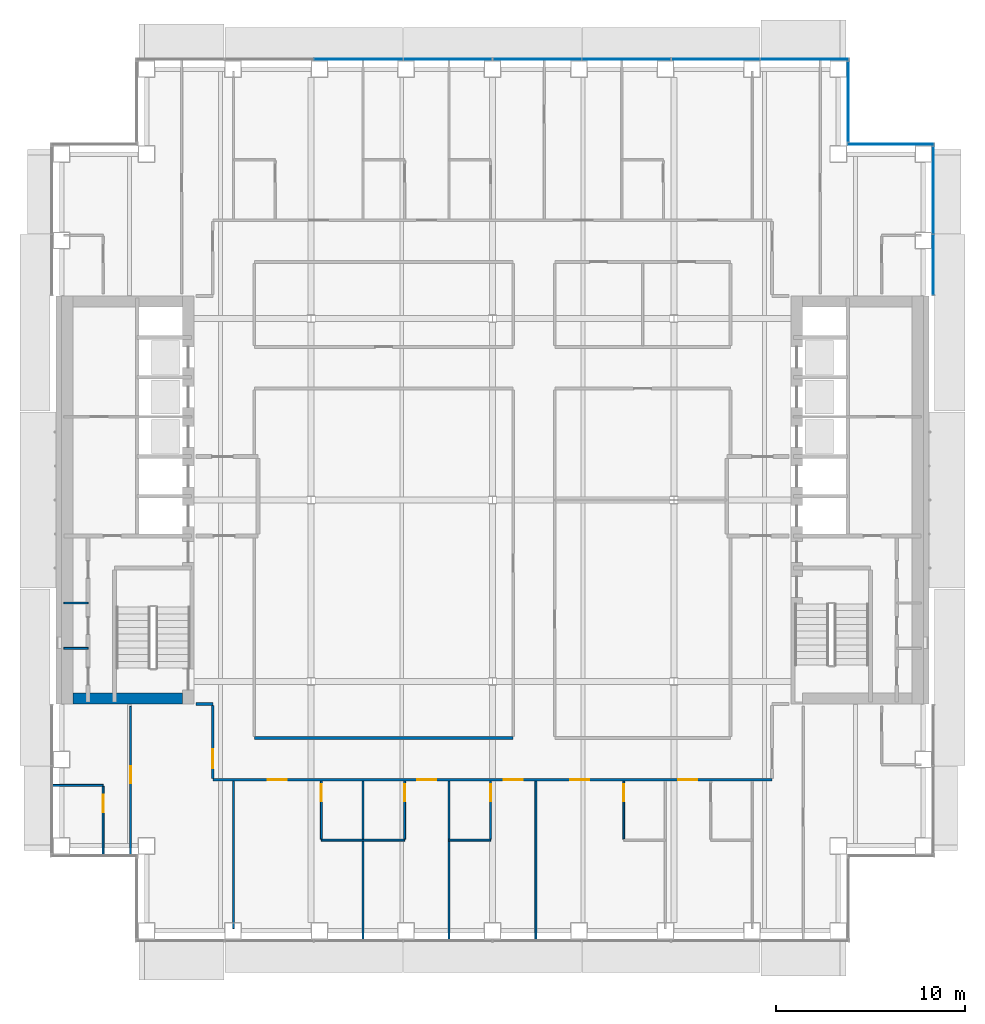
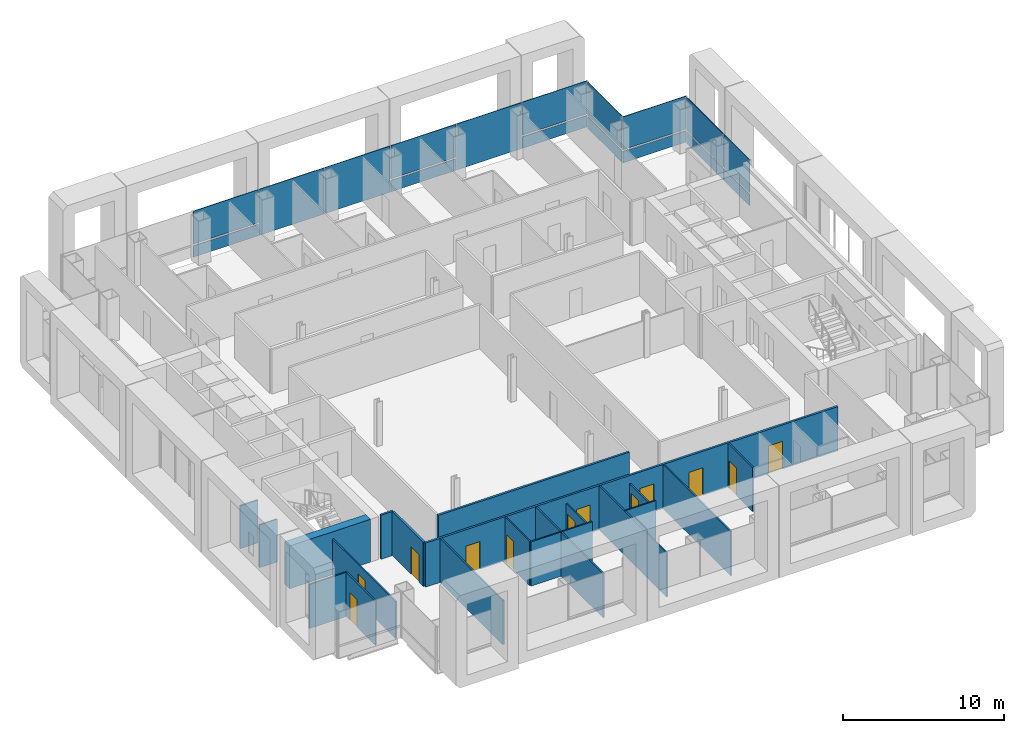
# One storey, part 10 of 20: 21 walls, 17 plates, 12 doors, 12 openings, 4 elements without a shape of their own.
"""IFC4 building model written with IfcOpenShell, lengths in metres."""

from ifc_helpers import new_model, si_unit, direction, frame, frame_2d, origin, origin_2d, place, context, subcontext, project, spatial, rectangle, extrude, material, layer, layer_set, type_object, element, fill, aggregate, save


model = new_model("IFC4")

# Units and contexts
model_context = context("Model", 3, precision=1e-05, world=origin(), true_north=direction((0.0, 1.0)))
body_context = subcontext(model_context, "Body", "Model", "MODEL_VIEW")
ifc_project = project(units=[si_unit("LENGTHUNIT", "METRE"), si_unit("AREAUNIT", "SQUARE_METRE"), si_unit("VOLUMEUNIT", "CUBIC_METRE"), si_unit("PLANEANGLEUNIT", "RADIAN"), si_unit("MASSUNIT", "GRAM", prefix="KILO")], contexts=[model_context])

# Site, building, storey
site_placement = place(None, origin())
site = spatial("IfcSite", under=ifc_project, at=site_placement, CompositionType="ELEMENT")
building_placement = place(site_placement, origin())
building = spatial("IfcBuilding", under=site, at=building_placement, Name="Cobrizo Arcos Hotel Tower", CompositionType="ELEMENT")
storey_placement = place(building_placement, frame((0.0, 0.0, 96.0)))
storey = spatial("IfcBuildingStorey", under=building, at=storey_placement, Name="L23", CompositionType="ELEMENT", Elevation=96.0)

# Curtain wall, plates
ifc_material_1 = material(Name="Aluminium 6063-T6 anodised bronze", Category="aluminium")
curtain_wall_type = type_object("IfcCurtainWallType", Name="CW-A guest facade", PredefinedType="NOTDEFINED", material=ifc_material_1)
curtain_wall_1_placement = place(storey_placement, origin())
curtain_wall_1 = element("IfcCurtainWall", 1, at=curtain_wall_1_placement, inside=storey, type_object=curtain_wall_type, Name="CW-A L23 E face", PredefinedType="NOTDEFINED")
ifc_material_2 = material(Name="Glass clear laminated low-e", Category="glass")
ifc_layer_1 = layer(ifc_material_2, 0.0400390625)
ifc_layer_set_1 = layer_set([ifc_layer_1], Name="CW-A glass panel")
plate_type_1 = type_object("IfcPlateType", Name="CW-A glass panel", PredefinedType="CURTAIN_PANEL", material=ifc_layer_set_1)
plate_1_placement = place(storey_placement, frame((23.324951171875, 12.4462890625, 0.990234375), z_axis=(0.0, 0.0, 1.0), x_axis=(0.0, 1.0, 0.0)))
plate_1 = element("IfcPlate", 2, at=plate_1_placement, type_object=plate_type_1, Name="CW-A glass panel 927", PredefinedType="CURTAIN_PANEL", context=body_context, shape_type="SweptSolid", body=[
    extrude(rectangle(XDim=3.172607421875, YDim=0.0400390625, at=origin_2d()), origin(), (0.0, 0.0, 1.0), 2.510009765625),
])
plate_2_placement = place(storey_placement, frame((23.324951171875, 16.391357421875, 0.990234375), z_axis=(0.0, 0.0, 1.0), x_axis=(0.0, 1.0, 0.0)))
plate_2 = element("IfcPlate", 3, at=plate_2_placement, type_object=plate_type_1, Name="CW-A glass panel 928", PredefinedType="CURTAIN_PANEL", context=body_context, shape_type="SweptSolid", body=[
    extrude(rectangle(XDim=4.597412109375, YDim=0.0400390625, at=origin_2d()), origin(), (0.0, 0.0, 1.0), 2.510009765625),
])

# Curtain wall, plate
curtain_wall_2_placement = place(storey_placement, origin())
curtain_wall_2 = element("IfcCurtainWall", 4, at=curtain_wall_2_placement, inside=storey, type_object=curtain_wall_type, Name="CW-A L23 N face", PredefinedType="NOTDEFINED")
plate_3_placement = place(storey_placement, frame((21.074951171875, 18.824951171875, 0.990234375), z_axis=(0.0, 0.0, 1.0), x_axis=(-1.0, 0.0, 0.0)))
plate_3 = element("IfcPlate", 5, at=plate_3_placement, type_object=plate_type_1, Name="CW-A glass panel 929", PredefinedType="CURTAIN_PANEL", context=body_context, shape_type="SweptSolid", body=[
    extrude(rectangle(XDim=4.530029296875, YDim=0.0400390625, at=origin_2d()), origin(), (0.0, 0.0, 1.0), 2.510009765625),
])

curtain_wall_3_placement = place(storey_placement, origin())
curtain_wall_3 = element("IfcCurtainWall", 6, at=curtain_wall_3_placement, inside=storey, type_object=curtain_wall_type, Name="CW-A L23 E face", PredefinedType="NOTDEFINED")
plate_4_placement = place(storey_placement, frame((18.824951171875, 21.074951171875, 0.990234375), z_axis=(0.0, 0.0, 1.0), x_axis=(0.0, 1.0, 0.0)))
plate_4 = element("IfcPlate", 7, at=plate_4_placement, type_object=plate_type_1, Name="CW-A glass panel 930", PredefinedType="CURTAIN_PANEL", context=body_context, shape_type="SweptSolid", body=[
    extrude(rectangle(XDim=4.22998046875, YDim=0.0400390625, at=origin_2d()), origin(), (0.0, 0.0, 1.0), 2.510009765625),
])

# Curtain wall, plates
curtain_wall_4_placement = place(storey_placement, origin())
curtain_wall_4 = element("IfcCurtainWall", 8, at=curtain_wall_4_placement, inside=storey, type_object=curtain_wall_type, Name="CW-A L23 N face", PredefinedType="NOTDEFINED")
plate_5_placement = place(storey_placement, frame((16.5224609375, 23.324951171875, 0.990234375), z_axis=(0.0, 0.0, 1.0), x_axis=(-1.0, 0.0, 0.0)))
plate_5 = element("IfcPlate", 9, at=plate_5_placement, type_object=plate_type_1, Name="CW-A glass panel 931", PredefinedType="CURTAIN_PANEL", context=body_context, shape_type="SweptSolid", body=[
    extrude(rectangle(XDim=4.635009765625, YDim=0.0400390625, at=origin_2d()), origin(), (0.0, 0.0, 1.0), 2.510009765625),
])
plate_6_placement = place(storey_placement, frame((7.08740234375, 23.324951171875, 0.990234375), z_axis=(0.0, 0.0, 1.0), x_axis=(-1.0, 0.0, 0.0)))
plate_6 = element("IfcPlate", 10, at=plate_6_placement, type_object=plate_type_1, Name="CW-A glass panel 933", PredefinedType="CURTAIN_PANEL", context=body_context, shape_type="SweptSolid", body=[
    extrude(rectangle(XDim=4.6650390625, YDim=0.0400390625, at=origin_2d()), origin(), (0.0, 0.0, 1.0), 2.510009765625),
])
plate_7_placement = place(storey_placement, frame((-7.08740234375, 23.324951171875, 0.990234375), z_axis=(0.0, 0.0, 1.0), x_axis=(-1.0, 0.0, 0.0)))
plate_7 = element("IfcPlate", 11, at=plate_7_placement, type_object=plate_type_1, Name="CW-A glass panel 936", PredefinedType="CURTAIN_PANEL", context=body_context, shape_type="SweptSolid", body=[
    extrude(rectangle(XDim=4.6650390625, YDim=0.0400390625, at=origin_2d()), origin(), (0.0, 0.0, 1.0), 2.510009765625),
])

# Plate
ifc_material_3 = material(Name="Aluminium composite panel pale metal", Category="aluminium")
ifc_layer_2 = layer(ifc_material_3, 0.0400390625)
ifc_layer_set_2 = layer_set([ifc_layer_2], Name="CW-A spandrel panel")
plate_type_2 = type_object("IfcPlateType", Name="CW-A spandrel panel", PredefinedType="CURTAIN_PANEL", material=ifc_layer_set_2)
plate_8_placement = place(storey_placement, frame((23.324951171875, 12.4462890625, 0.0), z_axis=(0.0, 0.0, 1.0), x_axis=(0.0, 1.0, 0.0)))
plate_8 = element("IfcPlate", 12, at=plate_8_placement, type_object=plate_type_2, Name="CW-A spandrel panel 927", PredefinedType="CURTAIN_PANEL", context=body_context, shape_type="SweptSolid", body=[
    extrude(rectangle(XDim=3.172607421875, YDim=0.0400390625, at=origin_2d()), origin(), (0.0, 0.0, 1.0), 0.8701171875),
])

plate_9_placement = place(storey_placement, frame((23.324951171875, 16.391357421875, 0.0), z_axis=(0.0, 0.0, 1.0), x_axis=(0.0, 1.0, 0.0)))
plate_9 = element("IfcPlate", 13, at=plate_9_placement, type_object=plate_type_2, Name="CW-A spandrel panel 928", PredefinedType="CURTAIN_PANEL", context=body_context, shape_type="SweptSolid", body=[
    extrude(rectangle(XDim=4.597412109375, YDim=0.0400390625, at=origin_2d()), origin(), (0.0, 0.0, 1.0), 0.8701171875),
])

aggregate(curtain_wall_1, [plate_8, plate_1, plate_9, plate_2])

plate_10_placement = place(storey_placement, frame((21.074951171875, 18.824951171875, 0.0), z_axis=(0.0, 0.0, 1.0), x_axis=(-1.0, 0.0, 0.0)))
plate_10 = element("IfcPlate", 14, at=plate_10_placement, type_object=plate_type_2, Name="CW-A spandrel panel 929", PredefinedType="CURTAIN_PANEL", context=body_context, shape_type="SweptSolid", body=[
    extrude(rectangle(XDim=4.530029296875, YDim=0.0400390625, at=origin_2d()), origin(), (0.0, 0.0, 1.0), 0.8701171875),
])

aggregate(curtain_wall_2, [plate_10, plate_3])

plate_11_placement = place(storey_placement, frame((18.824951171875, 21.074951171875, 0.0), z_axis=(0.0, 0.0, 1.0), x_axis=(0.0, 1.0, 0.0)))
plate_11 = element("IfcPlate", 15, at=plate_11_placement, type_object=plate_type_2, Name="CW-A spandrel panel 930", PredefinedType="CURTAIN_PANEL", context=body_context, shape_type="SweptSolid", body=[
    extrude(rectangle(XDim=4.22998046875, YDim=0.0400390625, at=origin_2d()), origin(), (0.0, 0.0, 1.0), 0.8701171875),
])

aggregate(curtain_wall_3, [plate_11, plate_4])

plate_12_placement = place(storey_placement, frame((16.5224609375, 23.324951171875, 0.0), z_axis=(0.0, 0.0, 1.0), x_axis=(-1.0, 0.0, 0.0)))
plate_12 = element("IfcPlate", 16, at=plate_12_placement, type_object=plate_type_2, Name="CW-A spandrel panel 931", PredefinedType="CURTAIN_PANEL", context=body_context, shape_type="SweptSolid", body=[
    extrude(rectangle(XDim=4.635009765625, YDim=0.0400390625, at=origin_2d()), origin(), (0.0, 0.0, 1.0), 0.8701171875),
])

plate_13_placement = place(storey_placement, frame((11.8125, 23.324951171875, 0.0), z_axis=(0.0, 0.0, 1.0), x_axis=(-1.0, 0.0, 0.0)))
plate_13 = element("IfcPlate", 17, at=plate_13_placement, type_object=plate_type_2, Name="CW-A spandrel panel 932", PredefinedType="CURTAIN_PANEL", context=body_context, shape_type="SweptSolid", body=[
    extrude(rectangle(XDim=4.6650390625, YDim=0.0400390625, at=origin_2d()), origin(), (0.0, 0.0, 1.0), 3.5),
])

plate_14_placement = place(storey_placement, frame((7.08740234375, 23.324951171875, 0.0), z_axis=(0.0, 0.0, 1.0), x_axis=(-1.0, 0.0, 0.0)))
plate_14 = element("IfcPlate", 18, at=plate_14_placement, type_object=plate_type_2, Name="CW-A spandrel panel 933", PredefinedType="CURTAIN_PANEL", context=body_context, shape_type="SweptSolid", body=[
    extrude(rectangle(XDim=4.6650390625, YDim=0.0400390625, at=origin_2d()), origin(), (0.0, 0.0, 1.0), 0.8701171875),
])

plate_15_placement = place(storey_placement, frame((2.362548828125, 23.324951171875, 0.0), z_axis=(0.0, 0.0, 1.0), x_axis=(-1.0, 0.0, 0.0)))
plate_15 = element("IfcPlate", 19, at=plate_15_placement, type_object=plate_type_2, Name="CW-A spandrel panel 934", PredefinedType="CURTAIN_PANEL", context=body_context, shape_type="SweptSolid", body=[
    extrude(rectangle(XDim=4.6650390625, YDim=0.0400390625, at=origin_2d()), origin(), (0.0, 0.0, 1.0), 3.5),
])

plate_16_placement = place(storey_placement, frame((-2.362548828125, 23.324951171875, 0.0), z_axis=(0.0, 0.0, 1.0), x_axis=(-1.0, 0.0, 0.0)))
plate_16 = element("IfcPlate", 20, at=plate_16_placement, type_object=plate_type_2, Name="CW-A spandrel panel 935", PredefinedType="CURTAIN_PANEL", context=body_context, shape_type="SweptSolid", body=[
    extrude(rectangle(XDim=4.6650390625, YDim=0.0400390625, at=origin_2d()), origin(), (0.0, 0.0, 1.0), 3.5),
])

plate_17_placement = place(storey_placement, frame((-7.08740234375, 23.324951171875, 0.0), z_axis=(0.0, 0.0, 1.0), x_axis=(-1.0, 0.0, 0.0)))
plate_17 = element("IfcPlate", 21, at=plate_17_placement, type_object=plate_type_2, Name="CW-A spandrel panel 936", PredefinedType="CURTAIN_PANEL", context=body_context, shape_type="SweptSolid", body=[
    extrude(rectangle(XDim=4.6650390625, YDim=0.0400390625, at=origin_2d()), origin(), (0.0, 0.0, 1.0), 0.8701171875),
])

aggregate(curtain_wall_4, [plate_12, plate_5, plate_13, plate_14, plate_6, plate_15, plate_16, plate_17, plate_7])

# Wall, openings, doors
ifc_material_4 = material(Name="Gypsum board partition")
ifc_layer_3 = layer(ifc_material_4, 0.14990234375)
ifc_layer_set_3 = layer_set([ifc_layer_3], Name="Corridor wall EI 60 150")
wall_type_1 = type_object("IfcWallType", Name="Corridor wall EI 60 150", PredefinedType="PARTITIONING", material=ifc_layer_set_3)
wall_1_placement = place(storey_placement, frame((-14.800048828125, -14.800048828125, 0.0), z_axis=(0.0, 0.0, 1.0), x_axis=(1.0, 0.0, 0.0)))
wall_1 = element("IfcWall", 22, at=wall_1_placement, inside=storey, type_object=wall_type_1, Name="Partition 006", PredefinedType="PARTITIONING", context=body_context, shape_type="SweptSolid", body=[
    extrude(rectangle(XDim=29.60009765625, YDim=0.14990234375, at=frame_2d((14.800048828125, 0.0))), origin(), (0.0, 0.0, 1.0), 3.35009765625),
])
opening_1_placement = place(wall_1_placement, frame((2.906982421875, 0.0, 0.0)))
opening_1 = element("IfcOpeningElement", 23, at=opening_1_placement, cuts=wall_1, Name="Opening GD-05", PredefinedType="OPENING", context=body_context, shape_type="SweptSolid", body=[
    extrude(rectangle(XDim=1.0, YDim=2.10009765625, at=frame_2d((0.5, 1.050048828125))), frame((0.0, 0.0869140625, 0.0), z_axis=(0.0, -1.0, 0.0), x_axis=(1.0, 0.0, 0.0)), (0.0, 0.0, 1.0), 0.173828125),
])
opening_2_placement = place(wall_1_placement, frame((10.825927734375, 0.0, 0.0)))
opening_2 = element("IfcOpeningElement", 24, at=opening_2_placement, cuts=wall_1, Name="Opening GD-06", PredefinedType="OPENING", context=body_context, shape_type="SweptSolid", body=[
    extrude(rectangle(XDim=1.0, YDim=2.10009765625, at=frame_2d((0.5, 1.050048828125))), frame((0.0, 0.0869140625, 0.0), z_axis=(0.0, -1.0, 0.0), x_axis=(1.0, 0.0, 0.0)), (0.0, 0.0, 1.0), 0.173828125),
])
opening_3_placement = place(wall_1_placement, frame((15.40087890625, 0.0, 0.0)))
opening_3 = element("IfcOpeningElement", 25, at=opening_3_placement, cuts=wall_1, Name="Opening GD-07", PredefinedType="OPENING", context=body_context, shape_type="SweptSolid", body=[
    extrude(rectangle(XDim=1.0, YDim=2.10009765625, at=frame_2d((0.5, 1.050048828125))), frame((0.0, 0.0869140625, 0.0), z_axis=(0.0, -1.0, 0.0), x_axis=(1.0, 0.0, 0.0)), (0.0, 0.0, 1.0), 0.173828125),
])
opening_4_placement = place(wall_1_placement, frame((18.9189453125, 0.0, 0.0)))
opening_4 = element("IfcOpeningElement", 26, at=opening_4_placement, cuts=wall_1, Name="Opening GD-08", PredefinedType="OPENING", context=body_context, shape_type="SweptSolid", body=[
    extrude(rectangle(XDim=1.0, YDim=2.10009765625, at=frame_2d((0.5, 1.050048828125))), frame((0.0, 0.0869140625, 0.0), z_axis=(0.0, -1.0, 0.0), x_axis=(1.0, 0.0, 0.0)), (0.0, 0.0, 1.0), 0.173828125),
])
opening_5_placement = place(wall_1_placement, frame((24.637939453125, 0.0, 0.0)))
opening_5 = element("IfcOpeningElement", 27, at=opening_5_placement, cuts=wall_1, Name="Opening GD-09", PredefinedType="OPENING", context=body_context, shape_type="SweptSolid", body=[
    extrude(rectangle(XDim=1.0, YDim=2.10009765625, at=frame_2d((0.5, 1.050048828125))), frame((0.0, 0.0869140625, 0.0), z_axis=(0.0, -1.0, 0.0), x_axis=(1.0, 0.0, 0.0)), (0.0, 0.0, 1.0), 0.173828125),
])
ifc_material_5 = material(Name="Timber door leaf", Category="wood")
door_type_1 = type_object("IfcDoorType", Name="Guest room door FD30S 1000x2100", OperationType="SINGLE_SWING_LEFT", PredefinedType="DOOR", material=ifc_material_5)
door_1_placement = place(opening_1_placement, origin())
door_1 = element("IfcDoor", 28, at=door_1_placement, inside=storey, type_object=door_type_1, Name="Door GD-05", OperationType="SINGLE_SWING_LEFT", OverallHeight=2.10009765625, OverallWidth=1.0, PredefinedType="DOOR", context=body_context, shape_type="SweptSolid", body=[
    extrude(rectangle(XDim=1.0, YDim=2.10009765625, at=frame_2d((0.5, 1.050048828125))), frame((0.0, 0.02490234375, 0.0), z_axis=(0.0, -1.0, 0.0), x_axis=(1.0, 0.0, 0.0)), (0.0, 0.0, 1.0), 0.050048828125),
])
fill(opening_1, door_1)
door_2_placement = place(opening_2_placement, origin())
door_2 = element("IfcDoor", 29, at=door_2_placement, inside=storey, type_object=door_type_1, Name="Door GD-06", OperationType="SINGLE_SWING_LEFT", OverallHeight=2.10009765625, OverallWidth=1.0, PredefinedType="DOOR", context=body_context, shape_type="SweptSolid", body=[
    extrude(rectangle(XDim=1.0, YDim=2.10009765625, at=frame_2d((0.5, 1.050048828125))), frame((0.0, 0.02490234375, 0.0), z_axis=(0.0, -1.0, 0.0), x_axis=(1.0, 0.0, 0.0)), (0.0, 0.0, 1.0), 0.050048828125),
])
fill(opening_2, door_2)
door_3_placement = place(opening_3_placement, origin())
door_3 = element("IfcDoor", 30, at=door_3_placement, inside=storey, type_object=door_type_1, Name="Door GD-07", OperationType="SINGLE_SWING_LEFT", OverallHeight=2.10009765625, OverallWidth=1.0, PredefinedType="DOOR", context=body_context, shape_type="SweptSolid", body=[
    extrude(rectangle(XDim=1.0, YDim=2.10009765625, at=frame_2d((0.5, 1.050048828125))), frame((0.0, 0.02490234375, 0.0), z_axis=(0.0, -1.0, 0.0), x_axis=(1.0, 0.0, 0.0)), (0.0, 0.0, 1.0), 0.050048828125),
])
fill(opening_3, door_3)
door_4_placement = place(opening_4_placement, origin())
door_4 = element("IfcDoor", 31, at=door_4_placement, inside=storey, type_object=door_type_1, Name="Door GD-08", OperationType="SINGLE_SWING_LEFT", OverallHeight=2.10009765625, OverallWidth=1.0, PredefinedType="DOOR", context=body_context, shape_type="SweptSolid", body=[
    extrude(rectangle(XDim=1.0, YDim=2.10009765625, at=frame_2d((0.5, 1.050048828125))), frame((0.0, 0.02490234375, 0.0), z_axis=(0.0, -1.0, 0.0), x_axis=(1.0, 0.0, 0.0)), (0.0, 0.0, 1.0), 0.050048828125),
])
fill(opening_4, door_4)
door_5_placement = place(opening_5_placement, origin())
door_5 = element("IfcDoor", 32, at=door_5_placement, inside=storey, type_object=door_type_1, Name="Door GD-09", OperationType="SINGLE_SWING_LEFT", OverallHeight=2.10009765625, OverallWidth=1.0, PredefinedType="DOOR", context=body_context, shape_type="SweptSolid", body=[
    extrude(rectangle(XDim=1.0, YDim=2.10009765625, at=frame_2d((0.5, 1.050048828125))), frame((0.0, 0.02490234375, 0.0), z_axis=(0.0, -1.0, 0.0), x_axis=(1.0, 0.0, 0.0)), (0.0, 0.0, 1.0), 0.050048828125),
])
fill(opening_5, door_5)

# Walls
wall_2_placement = place(storey_placement, frame((-12.60009765625, -12.60009765625, 0.0), z_axis=(0.0, 0.0, 1.0), x_axis=(1.0, 0.0, 0.0)))
element("IfcWall", 33, at=wall_2_placement, inside=storey, type_object=wall_type_1, Name="Partition 008", PredefinedType="PARTITIONING", context=body_context, shape_type="SweptSolid", body=[
    extrude(rectangle(XDim=13.7001953125, YDim=0.14990234375, at=frame_2d((6.85009765625, 0.0))), origin(), (0.0, 0.0, 1.0), 3.35009765625),
])
wall_3_placement = place(storey_placement, frame((-15.679931640625, -10.800048828125, 0.0), z_axis=(0.0, 0.0, 1.0), x_axis=(1.0, 0.0, 0.0)))
element("IfcWall", 34, at=wall_3_placement, inside=storey, type_object=wall_type_1, Name="Partition 010", PredefinedType="PARTITIONING", context=body_context, shape_type="SweptSolid", body=[
    extrude(rectangle(XDim=0.8798828125, YDim=0.14990234375, at=frame_2d((0.43994140625, 0.0))), origin(), (0.0, 0.0, 1.0), 3.35009765625),
])

# Wall, opening, door
wall_4_placement = place(storey_placement, frame((-14.800048828125, -14.72509765625, 0.0), z_axis=(0.0, 0.0, 1.0), x_axis=(0.0, 1.0, 0.0)))
wall_4 = element("IfcWall", 35, at=wall_4_placement, inside=storey, type_object=wall_type_1, Name="Partition 060", PredefinedType="PARTITIONING", context=body_context, shape_type="SweptSolid", body=[
    extrude(rectangle(XDim=3.85009765625, YDim=0.14990234375, at=frame_2d((1.925048828125, 0.0))), origin(), (0.0, 0.0, 1.0), 3.35009765625),
])
opening_6_placement = place(wall_4_placement, frame((0.52490234375, 0.0, 0.0)))
opening_6 = element("IfcOpeningElement", 36, at=opening_6_placement, cuts=wall_4, Name="Opening GD-10", PredefinedType="OPENING", context=body_context, shape_type="SweptSolid", body=[
    extrude(rectangle(XDim=1.0, YDim=2.10009765625, at=frame_2d((0.5, 1.050048828125))), frame((0.0, 0.0869140625, 0.0), z_axis=(0.0, -1.0, 0.0), x_axis=(1.0, 0.0, 0.0)), (0.0, 0.0, 1.0), 0.173828125),
])
door_6_placement = place(opening_6_placement, origin())
door_6 = element("IfcDoor", 37, at=door_6_placement, inside=storey, type_object=door_type_1, Name="Door GD-10", OperationType="SINGLE_SWING_RIGHT", OverallHeight=2.10009765625, OverallWidth=1.0, PredefinedType="DOOR", context=body_context, shape_type="SweptSolid", body=[
    extrude(rectangle(XDim=1.0, YDim=2.10009765625, at=frame_2d((0.5, 1.050048828125))), frame((0.0, 0.02490234375, 0.0), z_axis=(0.0, -1.0, 0.0), x_axis=(1.0, 0.0, 0.0)), (0.0, 0.0, 1.0), 0.050048828125),
])
fill(opening_6, door_6)

# Walls
ifc_layer_4 = layer(ifc_material_4, 0.10009765625)
ifc_layer_set_4 = layer_set([ifc_layer_4], Name="Partition EI 30 100")
wall_type_2 = type_object("IfcWallType", Name="Partition EI 30 100", PredefinedType="PARTITIONING", material=ifc_layer_set_4)
wall_5_placement = place(storey_placement, frame((-9.050048828125, -18.0, 0.0), z_axis=(0.0, 0.0, 1.0), x_axis=(1.0, 0.0, 0.0)))
element("IfcWall", 38, at=wall_5_placement, inside=storey, type_object=wall_type_2, Name="Partition 001", PredefinedType="PARTITIONING", context=body_context, shape_type="SweptSolid", body=[
    extrude(rectangle(XDim=4.400146484375, YDim=0.10009765625, at=frame_2d((2.2001953125, 0.0))), origin(), (0.0, 0.0, 1.0), 3.35009765625),
])
wall_6_placement = place(storey_placement, frame((-2.300048828125, -18.0, 0.0), z_axis=(0.0, 0.0, 1.0), x_axis=(1.0, 0.0, 0.0)))
element("IfcWall", 39, at=wall_6_placement, inside=storey, type_object=wall_type_2, Name="Partition 002", PredefinedType="PARTITIONING", context=body_context, shape_type="SweptSolid", body=[
    extrude(rectangle(XDim=2.199951171875, YDim=0.10009765625, at=frame_2d((1.10009765625, 0.0))), origin(), (0.0, 0.0, 1.0), 3.35009765625),
])
wall_7_placement = place(storey_placement, frame((-23.280029296875, -15.10009765625, 0.0), z_axis=(0.0, 0.0, 1.0), x_axis=(1.0, 0.0, 0.0)))
element("IfcWall", 40, at=wall_7_placement, inside=storey, type_object=wall_type_2, Name="Partition 005", PredefinedType="PARTITIONING", context=body_context, shape_type="SweptSolid", body=[
    extrude(rectangle(XDim=2.679931640625, YDim=0.10009765625, at=frame_2d((1.33984375, 0.0))), origin(), (0.0, 0.0, 1.0), 3.35009765625),
])
for number, where, z_axis, x_axis, name in (
    (41, (-22.679931640625, -7.85009765625, 0.0), (0.0, 0.0, 1.0), (1.0, 0.0, 0.0), "Partition 012"),
    (42, (-22.679931640625, -5.449951171875, 0.0), (0.0, 0.0, 1.0), (1.0, 0.0, 0.0), "Partition 014"),
):
    element("IfcWall", number, at=place(storey_placement, frame(where, z_axis=z_axis, x_axis=x_axis)), inside=storey, type_object=wall_type_2, Name=name, PredefinedType="PARTITIONING", context=body_context, shape_type="SweptSolid", body=[
        extrude(rectangle(XDim=1.280029296875, YDim=0.10009765625, at=frame_2d((0.64013671875, 0.0))), origin(), (0.0, 0.0, 1.0), 3.25),
    ])

# Wall, opening, door
wall_8_placement = place(storey_placement, frame((-20.60009765625, -18.780029296875, 0.0), z_axis=(0.0, 0.0, 1.0), x_axis=(0.0, 1.0, 0.0)))
wall_8 = element("IfcWall", 43, at=wall_8_placement, inside=storey, type_object=wall_type_2, Name="Partition 053", PredefinedType="PARTITIONING", context=body_context, shape_type="SweptSolid", body=[
    extrude(rectangle(XDim=3.630126953125, YDim=0.10009765625, at=frame_2d((1.81494140625, 0.0))), origin(), (0.0, 0.0, 1.0), 3.35009765625),
])
opening_7_placement = place(wall_8_placement, frame((2.27001953125, 0.0, 0.0)))
opening_7 = element("IfcOpeningElement", 44, at=opening_7_placement, cuts=wall_8, Name="Opening ED-10", PredefinedType="OPENING", context=body_context, shape_type="SweptSolid", body=[
    extrude(rectangle(XDim=0.89990234375, YDim=2.10009765625, at=frame_2d((0.449951171875, 1.050048828125))), frame((0.0, 0.06201171875, 0.0), z_axis=(0.0, -1.0, 0.0), x_axis=(1.0, 0.0, 0.0)), (0.0, 0.0, 1.0), 0.1240234375),
])
door_type_2 = type_object("IfcDoorType", Name="En-suite door 900x2100", OperationType="SINGLE_SWING_LEFT", PredefinedType="DOOR", material=ifc_material_5)
door_7_placement = place(opening_7_placement, origin())
door_7 = element("IfcDoor", 45, at=door_7_placement, inside=storey, type_object=door_type_2, Name="Door ED-10", OperationType="SINGLE_SWING_LEFT", OverallHeight=2.10009765625, OverallWidth=0.89990234375, PredefinedType="DOOR", context=body_context, shape_type="SweptSolid", body=[
    extrude(rectangle(XDim=0.89990234375, YDim=2.10009765625, at=frame_2d((0.449951171875, 1.050048828125))), frame((0.0, 0.02490234375, 0.0), z_axis=(0.0, -1.0, 0.0), x_axis=(1.0, 0.0, 0.0)), (0.0, 0.0, 1.0), 0.050048828125),
])
fill(opening_7, door_7)

wall_9_placement = place(storey_placement, frame((-19.14990234375, -18.780029296875, 0.0), z_axis=(0.0, 0.0, 1.0), x_axis=(0.0, 1.0, 0.0)))
wall_9 = element("IfcWall", 46, at=wall_9_placement, inside=storey, type_object=wall_type_2, Name="Partition 056", PredefinedType="PARTITIONING", context=body_context, shape_type="SweptSolid", body=[
    extrude(rectangle(XDim=7.860107421875, YDim=0.10009765625, at=frame_2d((3.93017578125, 0.0))), origin(), (0.0, 0.0, 1.0), 2.81689453125),
])
opening_8_placement = place(wall_9_placement, frame((3.780029296875, 0.0, 0.0)))
opening_8 = element("IfcOpeningElement", 47, at=opening_8_placement, cuts=wall_9, Name="Opening RD-12", PredefinedType="OPENING", context=body_context, shape_type="SweptSolid", body=[
    extrude(rectangle(XDim=0.89990234375, YDim=2.10009765625, at=frame_2d((0.449951171875, 1.050048828125))), frame((0.0, 0.06201171875, 0.0), z_axis=(0.0, -1.0, 0.0), x_axis=(1.0, 0.0, 0.0)), (0.0, 0.0, 1.0), 0.1240234375),
])
door_type_3 = type_object("IfcDoorType", Name="Room door FD30 900x2100", OperationType="SINGLE_SWING_LEFT", PredefinedType="DOOR", material=ifc_material_5)
door_8_placement = place(opening_8_placement, origin())
door_8 = element("IfcDoor", 48, at=door_8_placement, inside=storey, type_object=door_type_3, Name="Door RD-12", OperationType="SINGLE_SWING_LEFT", OverallHeight=2.10009765625, OverallWidth=0.89990234375, PredefinedType="DOOR", context=body_context, shape_type="SweptSolid", body=[
    extrude(rectangle(XDim=0.89990234375, YDim=2.10009765625, at=frame_2d((0.449951171875, 1.050048828125))), frame((0.0, 0.02490234375, 0.0), z_axis=(0.0, -1.0, 0.0), x_axis=(1.0, 0.0, 0.0)), (0.0, 0.0, 1.0), 0.050048828125),
])
fill(opening_8, door_8)

# Wall
wall_10_placement = place(storey_placement, frame((-13.699951171875, -22.679931640625, 0.0), z_axis=(0.0, 0.0, 1.0), x_axis=(0.0, 1.0, 0.0)))
element("IfcWall", 49, at=wall_10_placement, inside=storey, type_object=wall_type_2, Name="Partition 062", PredefinedType="PARTITIONING", context=body_context, shape_type="SweptSolid", body=[
    extrude(rectangle(XDim=7.804931640625, YDim=0.10009765625, at=frame_2d((3.90234375, 0.0))), origin(), (0.0, 0.0, 1.0), 3.35009765625),
])

# Wall, opening, door
wall_11_placement = place(storey_placement, frame((-9.050048828125, -17.949951171875, 0.0), z_axis=(0.0, 0.0, 1.0), x_axis=(0.0, 1.0, 0.0)))
wall_11 = element("IfcWall", 50, at=wall_11_placement, inside=storey, type_object=wall_type_2, Name="Partition 069", PredefinedType="PARTITIONING", context=body_context, shape_type="SweptSolid", body=[
    extrude(rectangle(XDim=3.074951171875, YDim=0.10009765625, at=frame_2d((1.53759765625, 0.0))), origin(), (0.0, 0.0, 1.0), 3.35009765625),
])
opening_9_placement = place(wall_11_placement, frame((1.99609375, 0.0, 0.0)))
opening_9 = element("IfcOpeningElement", 51, at=opening_9_placement, cuts=wall_11, Name="Opening ED-05", PredefinedType="OPENING", context=body_context, shape_type="SweptSolid", body=[
    extrude(rectangle(XDim=0.89990234375, YDim=2.10009765625, at=frame_2d((0.449951171875, 1.050048828125))), frame((0.0, 0.06201171875, 0.0), z_axis=(0.0, -1.0, 0.0), x_axis=(1.0, 0.0, 0.0)), (0.0, 0.0, 1.0), 0.1240234375),
])
door_9_placement = place(opening_9_placement, origin())
door_9 = element("IfcDoor", 52, at=door_9_placement, inside=storey, type_object=door_type_2, Name="Door ED-05", OperationType="SINGLE_SWING_RIGHT", OverallHeight=2.10009765625, OverallWidth=0.89990234375, PredefinedType="DOOR", context=body_context, shape_type="SweptSolid", body=[
    extrude(rectangle(XDim=0.89990234375, YDim=2.10009765625, at=frame_2d((0.449951171875, 1.050048828125))), frame((0.0, 0.02490234375, 0.0), z_axis=(0.0, -1.0, 0.0), x_axis=(1.0, 0.0, 0.0)), (0.0, 0.0, 1.0), 0.050048828125),
])
fill(opening_9, door_9)

# Walls
wall_12_placement = place(storey_placement, frame((-6.85009765625, -23.280029296875, 0.0), z_axis=(0.0, 0.0, 1.0), x_axis=(0.0, 1.0, 0.0)))
element("IfcWall", 53, at=wall_12_placement, inside=storey, type_object=wall_type_2, Name="Partition 070", PredefinedType="PARTITIONING", context=body_context, shape_type="SweptSolid", body=[
    extrude(rectangle(XDim=5.22998046875, YDim=0.10009765625, at=frame_2d((2.614990234375, 0.0))), origin(), (0.0, 0.0, 1.0), 3.35009765625),
])
wall_13_placement = place(storey_placement, frame((-6.85009765625, -17.949951171875, 0.0), z_axis=(0.0, 0.0, 1.0), x_axis=(0.0, 1.0, 0.0)))
element("IfcWall", 54, at=wall_13_placement, inside=storey, type_object=wall_type_2, Name="Partition 071", PredefinedType="PARTITIONING", context=body_context, shape_type="SweptSolid", body=[
    extrude(rectangle(XDim=3.074951171875, YDim=0.10009765625, at=frame_2d((1.53759765625, 0.0))), origin(), (0.0, 0.0, 1.0), 3.35009765625),
])

# Wall, opening, door
wall_14_placement = place(storey_placement, frame((-4.64990234375, -17.949951171875, 0.0), z_axis=(0.0, 0.0, 1.0), x_axis=(0.0, 1.0, 0.0)))
wall_14 = element("IfcWall", 55, at=wall_14_placement, inside=storey, type_object=wall_type_2, Name="Partition 073", PredefinedType="PARTITIONING", context=body_context, shape_type="SweptSolid", body=[
    extrude(rectangle(XDim=3.074951171875, YDim=0.10009765625, at=frame_2d((1.53759765625, 0.0))), origin(), (0.0, 0.0, 1.0), 2.81689453125),
])
opening_10_placement = place(wall_14_placement, frame((1.99609375, 0.0, 0.0)))
opening_10 = element("IfcOpeningElement", 56, at=opening_10_placement, cuts=wall_14, Name="Opening ED-06", PredefinedType="OPENING", context=body_context, shape_type="SweptSolid", body=[
    extrude(rectangle(XDim=0.89990234375, YDim=2.10009765625, at=frame_2d((0.449951171875, 1.050048828125))), frame((0.0, 0.06201171875, 0.0), z_axis=(0.0, -1.0, 0.0), x_axis=(1.0, 0.0, 0.0)), (0.0, 0.0, 1.0), 0.1240234375),
])
door_10_placement = place(opening_10_placement, origin())
door_10 = element("IfcDoor", 57, at=door_10_placement, inside=storey, type_object=door_type_2, Name="Door ED-06", OperationType="SINGLE_SWING_RIGHT", OverallHeight=2.10009765625, OverallWidth=0.89990234375, PredefinedType="DOOR", context=body_context, shape_type="SweptSolid", body=[
    extrude(rectangle(XDim=0.89990234375, YDim=2.10009765625, at=frame_2d((0.449951171875, 1.050048828125))), frame((0.0, 0.02490234375, 0.0), z_axis=(0.0, -1.0, 0.0), x_axis=(1.0, 0.0, 0.0)), (0.0, 0.0, 1.0), 0.050048828125),
])
fill(opening_10, door_10)

# Wall
wall_15_placement = place(storey_placement, frame((-2.300048828125, -23.280029296875, 0.0), z_axis=(0.0, 0.0, 1.0), x_axis=(0.0, 1.0, 0.0)))
element("IfcWall", 58, at=wall_15_placement, inside=storey, type_object=wall_type_2, Name="Partition 075", PredefinedType="PARTITIONING", context=body_context, shape_type="SweptSolid", body=[
    extrude(rectangle(XDim=8.405029296875, YDim=0.10009765625, at=frame_2d((4.20263671875, 0.0))), origin(), (0.0, 0.0, 1.0), 3.35009765625),
])

# Wall, opening, door
wall_16_placement = place(storey_placement, frame((-0.10009765625, -17.949951171875, 0.0), z_axis=(0.0, 0.0, 1.0), x_axis=(0.0, 1.0, 0.0)))
wall_16 = element("IfcWall", 59, at=wall_16_placement, inside=storey, type_object=wall_type_2, Name="Partition 077", PredefinedType="PARTITIONING", context=body_context, shape_type="SweptSolid", body=[
    extrude(rectangle(XDim=3.074951171875, YDim=0.10009765625, at=frame_2d((1.53759765625, 0.0))), origin(), (0.0, 0.0, 1.0), 2.72802734375),
])
opening_11_placement = place(wall_16_placement, frame((1.99609375, 0.0, 0.0)))
opening_11 = element("IfcOpeningElement", 60, at=opening_11_placement, cuts=wall_16, Name="Opening ED-07", PredefinedType="OPENING", context=body_context, shape_type="SweptSolid", body=[
    extrude(rectangle(XDim=0.89990234375, YDim=2.10009765625, at=frame_2d((0.449951171875, 1.050048828125))), frame((0.0, 0.06201171875, 0.0), z_axis=(0.0, -1.0, 0.0), x_axis=(1.0, 0.0, 0.0)), (0.0, 0.0, 1.0), 0.1240234375),
])
door_11_placement = place(opening_11_placement, origin())
door_11 = element("IfcDoor", 61, at=door_11_placement, inside=storey, type_object=door_type_2, Name="Door ED-07", OperationType="SINGLE_SWING_RIGHT", OverallHeight=2.10009765625, OverallWidth=0.89990234375, PredefinedType="DOOR", context=body_context, shape_type="SweptSolid", body=[
    extrude(rectangle(XDim=0.89990234375, YDim=2.10009765625, at=frame_2d((0.449951171875, 1.050048828125))), frame((0.0, 0.02490234375, 0.0), z_axis=(0.0, -1.0, 0.0), x_axis=(1.0, 0.0, 0.0)), (0.0, 0.0, 1.0), 0.050048828125),
])
fill(opening_11, door_11)

# Wall
wall_17_placement = place(storey_placement, frame((2.300048828125, -23.280029296875, 0.0), z_axis=(0.0, 0.0, 1.0), x_axis=(0.0, 1.0, 0.0)))
element("IfcWall", 62, at=wall_17_placement, inside=storey, type_object=wall_type_2, Name="Partition 081", PredefinedType="PARTITIONING", context=body_context, shape_type="SweptSolid", body=[
    extrude(rectangle(XDim=8.405029296875, YDim=0.10009765625, at=frame_2d((4.20263671875, 0.0))), origin(), (0.0, 0.0, 1.0), 3.35009765625),
])

# Wall, opening, door
wall_18_placement = place(storey_placement, frame((6.949951171875, -17.949951171875, 0.0), z_axis=(0.0, 0.0, 1.0), x_axis=(0.0, 1.0, 0.0)))
wall_18 = element("IfcWall", 63, at=wall_18_placement, inside=storey, type_object=wall_type_2, Name="Partition 086", PredefinedType="PARTITIONING", context=body_context, shape_type="SweptSolid", body=[
    extrude(rectangle(XDim=3.074951171875, YDim=0.10009765625, at=frame_2d((1.53759765625, 0.0))), origin(), (0.0, 0.0, 1.0), 3.35009765625),
])
opening_12_placement = place(wall_18_placement, frame((1.99609375, 0.0, 0.0)))
opening_12 = element("IfcOpeningElement", 64, at=opening_12_placement, cuts=wall_18, Name="Opening ED-08", PredefinedType="OPENING", context=body_context, shape_type="SweptSolid", body=[
    extrude(rectangle(XDim=0.89990234375, YDim=2.10009765625, at=frame_2d((0.449951171875, 1.050048828125))), frame((0.0, 0.06201171875, 0.0), z_axis=(0.0, -1.0, 0.0), x_axis=(1.0, 0.0, 0.0)), (0.0, 0.0, 1.0), 0.1240234375),
])
door_12_placement = place(opening_12_placement, origin())
door_12 = element("IfcDoor", 65, at=door_12_placement, inside=storey, type_object=door_type_2, Name="Door ED-08", OperationType="SINGLE_SWING_RIGHT", OverallHeight=2.10009765625, OverallWidth=0.89990234375, PredefinedType="DOOR", context=body_context, shape_type="SweptSolid", body=[
    extrude(rectangle(XDim=0.89990234375, YDim=2.10009765625, at=frame_2d((0.449951171875, 1.050048828125))), frame((0.0, 0.02490234375, 0.0), z_axis=(0.0, -1.0, 0.0), x_axis=(1.0, 0.0, 0.0)), (0.0, 0.0, 1.0), 0.050048828125),
])
fill(opening_12, door_12)

# Wall
ifc_material_6 = material(Name="Concrete f'c 50 MPa", Category="concrete")
ifc_layer_5 = layer(ifc_material_6, 0.60009765625)
ifc_layer_set_5 = layer_set([ifc_layer_5], Name="RC core wall 600 f'c 50")
wall_type_3 = type_object("IfcWallType", Name="RC core wall 600 f'c 50", PredefinedType="SHEAR", material=ifc_layer_set_5)
wall_19_placement = place(storey_placement, frame((-22.199951171875, -10.5, 0.0), z_axis=(0.0, 0.0, 1.0), x_axis=(1.0, 0.0, 0.0)))
element("IfcWall", 66, at=wall_19_placement, inside=storey, type_object=wall_type_3, Name="Core wall CW2, west core, south end, L23", PredefinedType="SHEAR", context=body_context, shape_type="SweptSolid", body=[
    extrude(rectangle(XDim=5.800048828125, YDim=0.60009765625, at=frame_2d((2.89990234375, 0.0))), origin(), (0.0, 0.0, 1.0), 3.25),
])

save(model, "model.ifc")
